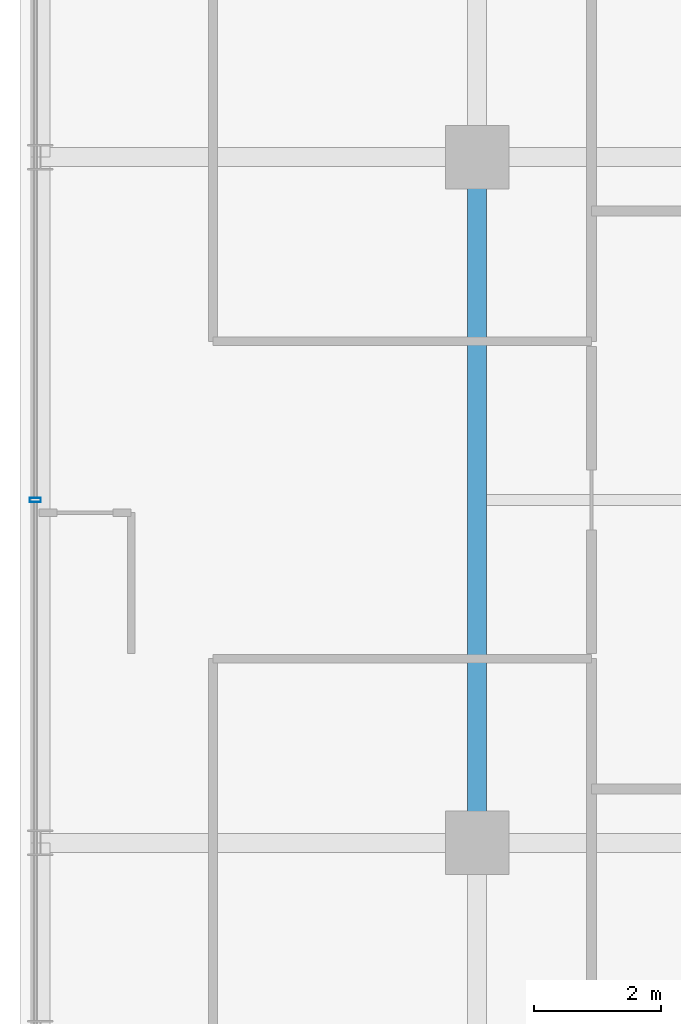
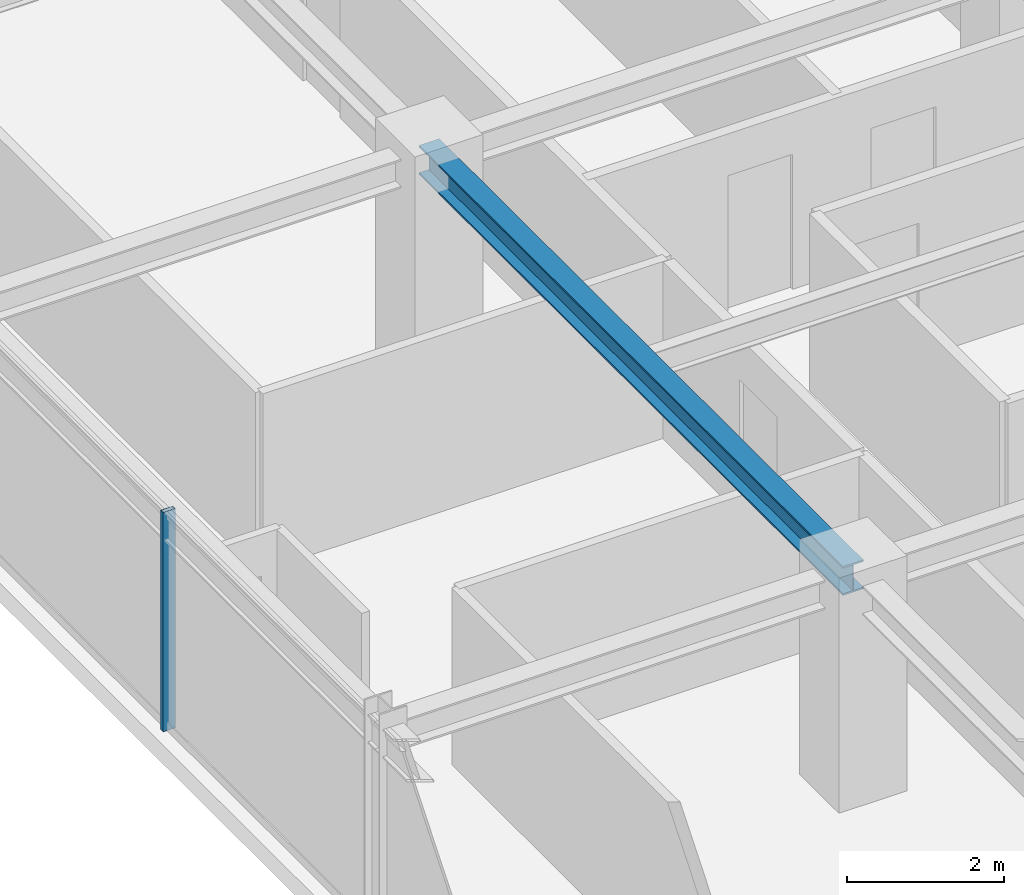
# One storey, part 10 of 34: 1 beam, 1 member, 1 element without a shape of its own.
"""IFC4 building model written with IfcOpenShell, lengths in metres."""

from ifc_helpers import new_model, si_unit, direction, frame, origin, origin_2d, place, context, subcontext, project, spatial, hollow_rectangle, i_section, extrude, source, transform, mapped, material, material_profile, profile_set, type_object, element, aggregate, save


model = new_model("IFC4")

# Units and contexts
model_context = context("Model", 3, precision=1e-05, world=origin(), true_north=direction((0.0, 1.0)))
body_context = subcontext(model_context, "Body", "Model", "MODEL_VIEW")
ifc_project = project(units=[si_unit("LENGTHUNIT", "METRE"), si_unit("AREAUNIT", "SQUARE_METRE"), si_unit("VOLUMEUNIT", "CUBIC_METRE"), si_unit("PLANEANGLEUNIT", "RADIAN"), si_unit("MASSUNIT", "GRAM", prefix="KILO")], contexts=[model_context])

# Site, building, storey
site_placement = place(None, origin())
site = spatial("IfcSite", under=ifc_project, at=site_placement, CompositionType="ELEMENT")
building_placement = place(site_placement, origin())
building = spatial("IfcBuilding", under=site, at=building_placement, Name="Nahalor Promenade Grand Hotel", CompositionType="ELEMENT")
storey_placement = place(building_placement, frame((0.0, 0.0, 208.60009765625)))
storey = spatial("IfcBuildingStorey", under=building, at=storey_placement, Name="L53", CompositionType="ELEMENT", Elevation=208.60009765625)

# Beam
ifc_material_1 = material(Name="Steel S355JR", Category="steel")
ifc_material_profile_1 = material_profile(ifc_material_1, i_section(OverallWidth=0.3, OverallDepth=0.45, WebThickness=0.014, FlangeThickness=0.026, at=origin_2d()), Name="HEB 450")
ifc_profile_set_1 = profile_set([ifc_material_profile_1], Name="Steel S355JR")
beam_type = type_object("IfcBeamType", Name="Beam-Girder-HEB450", PredefinedType="BEAM", material=ifc_profile_set_1)
shared_shape_1 = source(origin(), body_context, "Body", "SweptSolid", [
    extrude(i_section(OverallWidth=0.3, OverallDepth=0.45, WebThickness=0.014, FlangeThickness=0.026, at=origin_2d()), origin(), (0.0, 0.0, 1.0), 10.7998046875),
])
beam_placement = place(storey_placement, frame((-17.0, -5.39990234375, 3.184814453125), z_axis=(0.0, 1.0, 0.0), x_axis=(-1.0, 0.0, 0.0)))
element("IfcBeam", 1, at=beam_placement, inside=storey, type_object=beam_type, Name="BM-L53-GY-0-2", PredefinedType="BEAM", context=body_context, shape_type="MappedRepresentation", body=[
    mapped(shared_shape_1, transform((0.0, 0.0, 0.0), scale=1.0)),
])

# Curtain wall, member
ifc_material_2 = material(Name="Anodised Bronze Aluminium EN AW-6063 T6", Category="aluminium")
curtain_wall_type = type_object("IfcCurtainWallType", Name="CW2 Typical Hotel Flush Bronze Unitised Curtain Wall", PredefinedType="USERDEFINED", material=ifc_material_2)
curtain_wall_placement = place(storey_placement, origin())
curtain_wall = element("IfcCurtainWall", 2, at=curtain_wall_placement, inside=storey, type_object=curtain_wall_type, Name="L53 Curtain Wall CW-L53-W-1", ObjectType="UNITISED_CURTAIN_WALL", PredefinedType="USERDEFINED")
ifc_material_profile_2 = material_profile(ifc_material_2, hollow_rectangle(XDim=0.065, YDim=0.18, WallThickness=0.004, at=origin_2d()), Name="CWM 65x180x4")
ifc_profile_set_2 = profile_set([ifc_material_profile_2], Name="Anodised Bronze Aluminium EN AW-6063 T6")
member_type = type_object("IfcMemberType", Name="CWM2 Typical Bronze Mullion 65x180", PredefinedType="MULLION", material=ifc_profile_set_2)
shared_shape_2 = source(origin(), body_context, "Body", "SweptSolid", [
    extrude(hollow_rectangle(XDim=0.065, YDim=0.18, WallThickness=0.004, at=origin_2d()), origin(), (0.0, 0.0, 1.0), 3.409912109375),
])
member_placement = place(storey_placement, frame((-23.9599609375, 0.0, 0.0), z_axis=(0.0, 0.0, 1.0), x_axis=(0.0, 1.0, 0.0)))
member = element("IfcMember", 3, at=member_placement, type_object=member_type, Name="CW-L53-W-1 Mullion 2", PredefinedType="MULLION", context=body_context, shape_type="MappedRepresentation", body=[
    mapped(shared_shape_2, transform((0.0, 0.0, 0.0), scale=1.0)),
])
aggregate(curtain_wall, [member])

save(model, "model.ifc")
